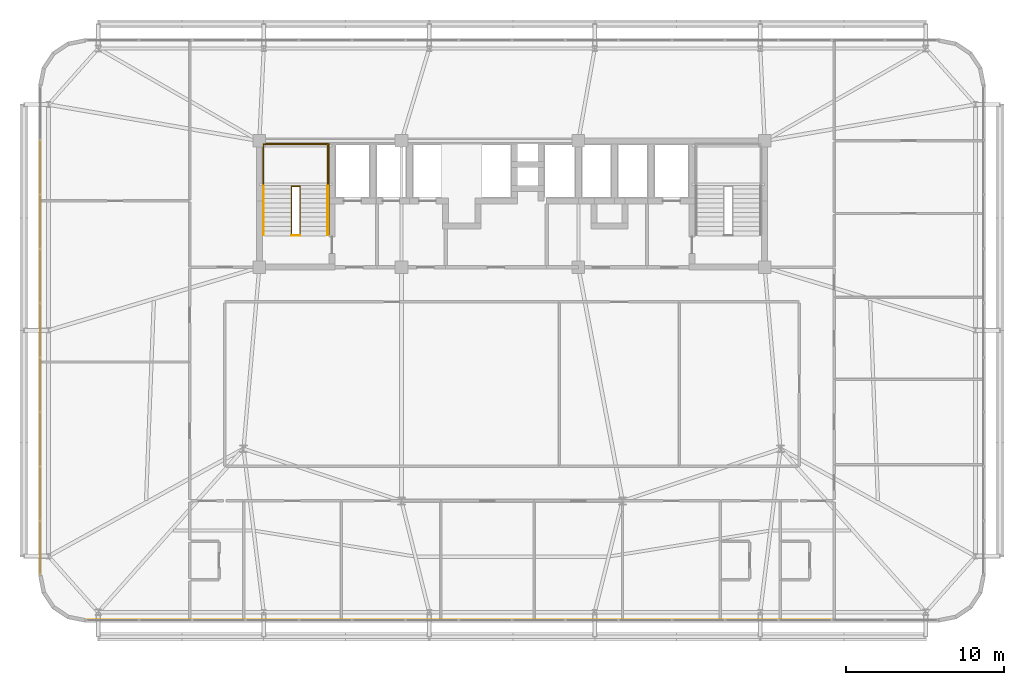
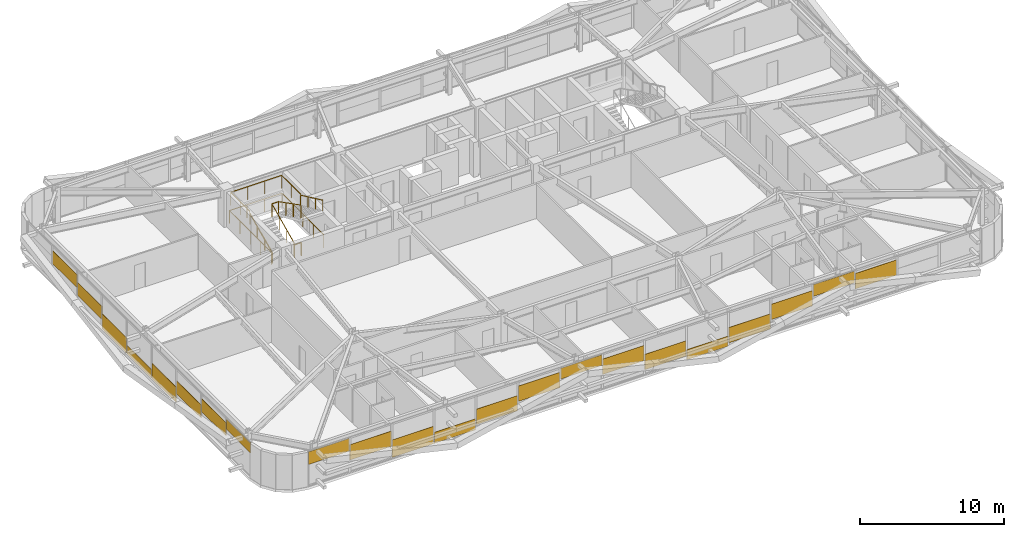
# One storey, part 56 of 58: 22 coverings, 6 railings.
"""IFC4 building model written with IfcOpenShell, lengths in metres."""

from ifc_helpers import new_model, si_unit, direction, frame, origin, origin_2d, place, context, subcontext, project, spatial, rectangle, extrude, source, transform, mapped, material, layer, layer_set, type_object, element, save


model = new_model("IFC4")

# Units and contexts
model_context = context("Model", 3, precision=1e-05, world=origin(), true_north=direction((0.0, 1.0)))
body_context = subcontext(model_context, "Body", "Model", "MODEL_VIEW")
ifc_project = project(units=[si_unit("LENGTHUNIT", "METRE"), si_unit("AREAUNIT", "SQUARE_METRE"), si_unit("VOLUMEUNIT", "CUBIC_METRE"), si_unit("PLANEANGLEUNIT", "RADIAN"), si_unit("MASSUNIT", "GRAM", prefix="KILO")], contexts=[model_context])

# Site, building, storey
site_placement = place(None, origin())
site = spatial("IfcSite", under=ifc_project, at=site_placement, CompositionType="ELEMENT")
building_placement = place(site_placement, origin())
building = spatial("IfcBuilding", under=site, at=building_placement, Name="Taldren Reach Tower", CompositionType="ELEMENT")
storey_placement = place(building_placement, frame((0.0, 0.0, 51.449951171875)))
storey = spatial("IfcBuildingStorey", under=building, at=storey_placement, Name="L15", CompositionType="ELEMENT", Elevation=51.449951171875)

# Railings
ifc_material_1 = material(Name="Steel Gr 350 (C350L0)", Category="steel")
ifc_layer_1 = layer(ifc_material_1, 0.050048828125)
ifc_layer_set_1 = layer_set([ifc_layer_1], Name="Steel Gr 350 (C350L0)")
railing_type_1 = type_object("IfcRailingType", Name="RL-STAIR-GR", PredefinedType="GUARDRAIL", material=ifc_layer_set_1)
railing_1_placement = place(storey_placement, frame((19.260009765625, 29.135009765625, 1.574951171875)))
element("IfcRailing", 1, at=railing_1_placement, inside=storey, type_object=railing_type_1, Name="Stair half-landing perimeter guard ST1-L15", PredefinedType="GUARDRAIL", context=body_context, shape_type="SweptSolid", body=[
    extrude(rectangle(XDim=0.047852, YDim=0.047852, at=origin_2d()), frame((0.0, 0.0, 1.09619140625), z_axis=(0.0, 1.0, 0.0), x_axis=(-1.0, 0.0, 0.0)), (0.0, 0.0, 1.0), 2.64501953125),
    extrude(rectangle(XDim=0.047852, YDim=0.047852, at=origin_2d()), frame((0.0, 2.64501953125, 1.09619140625), z_axis=(1.0, 0.0, 0.0), x_axis=(0.0, 1.0, 0.0)), (0.0, 0.0, 1.0), 4.080078125),
    extrude(rectangle(XDim=0.047852, YDim=0.047852, at=origin_2d()), frame((4.080078125, 2.64501953125, 1.09619140625), z_axis=(0.0, -1.0, 0.0), x_axis=(1.0, 0.0, 0.0)), (0.0, 0.0, 1.0), 2.64501953125),
    extrude(rectangle(XDim=0.041992, YDim=0.041992, at=origin_2d()), origin(), (0.0, 0.0, 1.0), 1.072021484375),
    extrude(rectangle(XDim=0.041992, YDim=0.041992, at=origin_2d()), frame((0.0, 1.322509765625, 0.0)), (0.0, 0.0, 1.0), 1.072021484375),
    extrude(rectangle(XDim=0.041992, YDim=0.041992, at=origin_2d()), frame((0.0, 2.64501953125, 0.0)), (0.0, 0.0, 1.0), 1.072021484375),
    extrude(rectangle(XDim=0.041992, YDim=0.041992, at=origin_2d()), frame((1.360107421875, 2.64501953125, 0.0)), (0.0, 0.0, 1.0), 1.072021484375),
    extrude(rectangle(XDim=0.041992, YDim=0.041992, at=origin_2d()), frame((2.719970703125, 2.64501953125, 0.0)), (0.0, 0.0, 1.0), 1.072021484375),
    extrude(rectangle(XDim=0.041992, YDim=0.041992, at=origin_2d()), frame((4.080078125, 2.64501953125, 0.0)), (0.0, 0.0, 1.0), 1.072021484375),
    extrude(rectangle(XDim=0.041992, YDim=0.041992, at=origin_2d()), frame((4.080078125, 1.322509765625, 0.0)), (0.0, 0.0, 1.0), 1.072021484375),
    extrude(rectangle(XDim=0.041992, YDim=0.041992, at=origin_2d()), frame((4.080078125, 0.0, 0.0)), (0.0, 0.0, 1.0), 1.072021484375),
])
railing_2_placement = place(storey_placement, frame((21.030029296875, 26.050048828125, 0.13134765625)))
element("IfcRailing", 2, at=railing_2_placement, inside=storey, type_object=railing_type_1, Name="Stairwell inner guard ST1-L15", PredefinedType="GUARDRAIL", context=body_context, shape_type="SweptSolid", body=[
    extrude(rectangle(XDim=0.047852, YDim=0.047852, at=origin_2d()), frame((0.0, 0.0, 1.09619140625), z_axis=(0.0, 0.905737652094, 0.423838773095), x_axis=(-1.0, 0.0, 0.0)), (0.0, 0.0, 1.0), 3.406005859375),
    extrude(rectangle(XDim=0.047852, YDim=0.047852, at=origin_2d()), frame((0.0, 3.0849609375, 2.53955078125), z_axis=(1.0, 0.0, 0.0), x_axis=(0.0, 1.0, 0.0)), (0.0, 0.0, 1.0), 0.5400390625),
    extrude(rectangle(XDim=0.047852, YDim=0.047852, at=origin_2d()), frame((0.5400390625, 3.0849609375, 2.53955078125), z_axis=(0.0, -0.890617412389, 0.454753366946), x_axis=(1.0, 0.0, 0.0)), (0.0, 0.0, 1.0), 3.4638671875),
    extrude(rectangle(XDim=0.041992, YDim=0.041992, at=origin_2d()), origin(), (0.0, 0.0, 1.0), 1.072021484375),
    extrude(rectangle(XDim=0.041992, YDim=0.041992, at=origin_2d()), frame((0.0, 1.0283203125, 0.481201171875)), (0.0, 0.0, 1.0), 1.072021484375),
    extrude(rectangle(XDim=0.041992, YDim=0.041992, at=origin_2d()), frame((0.0, 2.056640625, 0.96240234375)), (0.0, 0.0, 1.0), 1.072021484375),
    extrude(rectangle(XDim=0.041992, YDim=0.041992, at=origin_2d()), frame((0.0, 3.0849609375, 1.443603515625)), (0.0, 0.0, 1.0), 1.072021484375),
    extrude(rectangle(XDim=0.041992, YDim=0.041992, at=origin_2d()), frame((0.5400390625, 3.0849609375, 1.443603515625)), (0.0, 0.0, 1.0), 1.072021484375),
    extrude(rectangle(XDim=0.041992, YDim=0.041992, at=origin_2d()), frame((0.5400390625, 2.056640625, 1.96875)), (0.0, 0.0, 1.0), 1.072021484375),
    extrude(rectangle(XDim=0.041992, YDim=0.041992, at=origin_2d()), frame((0.5400390625, 1.0283203125, 2.49365234375)), (0.0, 0.0, 1.0), 1.072021484375),
    extrude(rectangle(XDim=0.041992, YDim=0.041992, at=origin_2d()), frame((0.5400390625, 0.0, 3.018798828125)), (0.0, 0.0, 1.0), 1.072021484375),
])
railing_3_placement = place(storey_placement, frame((21.030029296875, 26.010009765625, 0.0)))
element("IfcRailing", 3, at=railing_3_placement, inside=storey, type_object=railing_type_1, Name="Stairwell landing slot guard ST1-L15", PredefinedType="GUARDRAIL", context=body_context, shape_type="SweptSolid", body=[
    extrude(rectangle(XDim=0.047852, YDim=0.047852, at=origin_2d()), frame((0.0, 0.0, 1.09619140625), z_axis=(1.0, 0.0, 0.0), x_axis=(0.0, 1.0, 0.0)), (0.0, 0.0, 1.0), 0.5400390625),
    extrude(rectangle(XDim=0.041992, YDim=0.041992, at=origin_2d()), origin(), (0.0, 0.0, 1.0), 1.072021484375),
    extrude(rectangle(XDim=0.041992, YDim=0.041992, at=origin_2d()), frame((0.5400390625, 0.0, 0.0)), (0.0, 0.0, 1.0), 1.072021484375),
])
railing_4_placement = place(storey_placement, frame((19.18994140625, 26.050048828125, 0.0)))
element("IfcRailing", 4, at=railing_4_placement, inside=storey, type_object=railing_type_1, Name="Stairwell floor opening guard ST1-L15", PredefinedType="GUARDRAIL", context=body_context, shape_type="SweptSolid", body=[
    extrude(rectangle(XDim=0.047852, YDim=0.047852, at=origin_2d()), frame((0.0, 0.0, 1.09619140625), z_axis=(0.0, 1.0, 0.0), x_axis=(-1.0, 0.0, 0.0)), (0.0, 0.0, 1.0), 5.800048828125),
    extrude(rectangle(XDim=0.047852, YDim=0.047852, at=origin_2d()), frame((0.0, 5.800048828125, 1.09619140625), z_axis=(1.0, 0.0, 0.0), x_axis=(0.0, 1.0, 0.0)), (0.0, 0.0, 1.0), 4.219970703125),
    extrude(rectangle(XDim=0.047852, YDim=0.047852, at=origin_2d()), frame((4.219970703125, 5.800048828125, 1.09619140625), z_axis=(0.0, -1.0, 0.0), x_axis=(1.0, 0.0, 0.0)), (0.0, 0.0, 1.0), 5.800048828125),
    extrude(rectangle(XDim=0.041992, YDim=0.041992, at=origin_2d()), origin(), (0.0, 0.0, 1.0), 1.072021484375),
    extrude(rectangle(XDim=0.041992, YDim=0.041992, at=origin_2d()), frame((0.0, 1.449951171875, 0.0)), (0.0, 0.0, 1.0), 1.072021484375),
    extrude(rectangle(XDim=0.041992, YDim=0.041992, at=origin_2d()), frame((0.0, 2.89990234375, 0.0)), (0.0, 0.0, 1.0), 1.072021484375),
    extrude(rectangle(XDim=0.041992, YDim=0.041992, at=origin_2d()), frame((0.0, 4.35009765625, 0.0)), (0.0, 0.0, 1.0), 1.072021484375),
    extrude(rectangle(XDim=0.041992, YDim=0.041992, at=origin_2d()), frame((0.0, 5.800048828125, 0.0)), (0.0, 0.0, 1.0), 1.072021484375),
    extrude(rectangle(XDim=0.041992, YDim=0.041992, at=origin_2d()), frame((1.40673828125, 5.800048828125, 0.0)), (0.0, 0.0, 1.0), 1.072021484375),
    extrude(rectangle(XDim=0.041992, YDim=0.041992, at=origin_2d()), frame((2.813232421875, 5.800048828125, 0.0)), (0.0, 0.0, 1.0), 1.072021484375),
    extrude(rectangle(XDim=0.041992, YDim=0.041992, at=origin_2d()), frame((4.219970703125, 5.800048828125, 0.0)), (0.0, 0.0, 1.0), 1.072021484375),
    extrude(rectangle(XDim=0.041992, YDim=0.041992, at=origin_2d()), frame((4.219970703125, 4.35009765625, 0.0)), (0.0, 0.0, 1.0), 1.072021484375),
    extrude(rectangle(XDim=0.041992, YDim=0.041992, at=origin_2d()), frame((4.219970703125, 2.89990234375, 0.0)), (0.0, 0.0, 1.0), 1.072021484375),
    extrude(rectangle(XDim=0.041992, YDim=0.041992, at=origin_2d()), frame((4.219970703125, 1.449951171875, 0.0)), (0.0, 0.0, 1.0), 1.072021484375),
    extrude(rectangle(XDim=0.041992, YDim=0.041992, at=origin_2d()), frame((4.219970703125, 0.0, 0.0)), (0.0, 0.0, 1.0), 1.072021484375),
])
ifc_material_2 = material(Name="Stainless Steel Gr 316", Category="steel")
ifc_layer_2 = layer(ifc_material_2, 0.048095703125)
ifc_layer_set_2 = layer_set([ifc_layer_2], Name="Stainless Steel Gr 316")
railing_type_2 = type_object("IfcRailingType", Name="RL-STAIR-HR", PredefinedType="HANDRAIL", material=ifc_layer_set_2)
railing_5_placement = place(storey_placement, frame((19.27001953125, 26.050048828125, 0.13134765625)))
element("IfcRailing", 5, at=railing_5_placement, inside=storey, type_object=railing_type_2, Name="Stair flight handrail ST1-L15-1", PredefinedType="HANDRAIL", context=body_context, shape_type="SweptSolid", body=[
    extrude(rectangle(XDim=0.047852, YDim=0.047852, at=origin_2d()), frame((0.0, 0.0, 0.89599609375), z_axis=(0.0, 0.905737652094, 0.423838773095), x_axis=(-1.0, 0.0, 0.0)), (0.0, 0.0, 1.0), 3.406005859375),
    extrude(rectangle(XDim=0.041992, YDim=0.041992, at=origin_2d()), origin(), (0.0, 0.0, 1.0), 0.871826171875),
    extrude(rectangle(XDim=0.041992, YDim=0.041992, at=origin_2d()), frame((0.0, 1.0283203125, 0.481201171875)), (0.0, 0.0, 1.0), 0.871826171875),
    extrude(rectangle(XDim=0.041992, YDim=0.041992, at=origin_2d()), frame((0.0, 2.056640625, 0.96240234375)), (0.0, 0.0, 1.0), 0.871826171875),
    extrude(rectangle(XDim=0.041992, YDim=0.041992, at=origin_2d()), frame((0.0, 3.0849609375, 1.443603515625)), (0.0, 0.0, 1.0), 0.871826171875),
])
railing_6_placement = place(storey_placement, frame((23.330078125, 29.135009765625, 1.706298828125)))
element("IfcRailing", 6, at=railing_6_placement, inside=storey, type_object=railing_type_2, Name="Stair flight handrail ST1-L15-2", PredefinedType="HANDRAIL", context=body_context, shape_type="SweptSolid", body=[
    extrude(rectangle(XDim=0.047852, YDim=0.047852, at=origin_2d()), frame((0.0, 0.0, 0.89599609375), z_axis=(0.0, -0.905710134349, 0.423897573167), x_axis=(1.0, 0.0, 0.0)), (0.0, 0.0, 1.0), 3.406005859375),
    extrude(rectangle(XDim=0.041992, YDim=0.041992, at=origin_2d()), origin(), (0.0, 0.0, 1.0), 0.871826171875),
    extrude(rectangle(XDim=0.041992, YDim=0.041992, at=origin_2d()), frame((0.0, -1.0283203125, 0.481201171875)), (0.0, 0.0, 1.0), 0.871826171875),
    extrude(rectangle(XDim=0.041992, YDim=0.041992, at=origin_2d()), frame((0.0, -2.056640625, 0.962646484375)), (0.0, 0.0, 1.0), 0.871826171875),
    extrude(rectangle(XDim=0.041992, YDim=0.041992, at=origin_2d()), frame((0.0, -3.0849609375, 1.44384765625)), (0.0, 0.0, 1.0), 0.871826171875),
])

# Coverings
ifc_material_3 = material(Name="Pale Champagne Fluoropolymer Aluminium Spandrel Cladding", Category="aluminium")
ifc_layer_3 = layer(ifc_material_3, 0.0439453125)
ifc_layer_set_3 = layer_set([ifc_layer_3], Name="Pale Champagne Fluoropolymer Aluminium Spandrel Cladding")
covering_type = type_object("IfcCoveringType", Name="CV-CLAD-044", PredefinedType="CLADDING", material=ifc_layer_set_3)
shared_shape_1 = source(origin(), body_context, "Body", "SweptSolid", [
    extrude(rectangle(XDim=3.277587890625, YDim=0.0439453125, at=origin_2d()), origin(), (0.0, 0.0, 1.0), 1.081298828125),
])
covering_1_placement = place(storey_placement, frame((9.703857421875, 1.639892578125, 1.7939453125), z_axis=(0.0, 0.0, 1.0), x_axis=(1.0, 0.0, 0.0)))
element("IfcCovering", 7, at=covering_1_placement, inside=storey, type_object=covering_type, Name="Diagrid closure cladding strip CW-2 panel 1.1 1", PredefinedType="CLADDING", context=body_context, shape_type="MappedRepresentation", body=[
    mapped(shared_shape_1, transform((0.0, 0.0, 0.0), scale=1.0)),
])
shared_shape_2 = source(origin(), body_context, "Body", "SweptSolid", [
    extrude(rectangle(XDim=3.31005859375, YDim=0.0439453125, at=origin_2d()), origin(), (0.0, 0.0, 1.0), 1.301025390625),
])
for number, where, z_axis, x_axis, name in (
    (8, (13.0625, 1.639892578125, 1.01123046875), (0.0, 0.0, 1.0), (1.0, 0.0, 0.0), "Diagrid closure cladding strip CW-2 panel 2.1 1"),
    (9, (23.1875, 1.639892578125, 0.4755859375), (0.0, 0.0, 1.0), (1.0, 0.0, 0.0), "Diagrid closure cladding strip CW-2 panel 5.1 1"),
    (10, (26.5625, 1.639892578125, 1.25830078125), (0.0, 0.0, 1.0), (1.0, 0.0, 0.0), "Diagrid closure cladding strip CW-2 panel 6.1 1"),
    (11, (33.3125, 1.639892578125, 1.17578125), (0.0, 0.0, 1.0), (1.0, 0.0, 0.0), "Diagrid closure cladding strip CW-2 panel 8.1 1"),
    (12, (36.6875, 1.639892578125, 0.39306640625), (0.0, 0.0, 1.0), (1.0, 0.0, 0.0), "Diagrid closure cladding strip CW-2 panel 9.1 1"),
    (13, (43.4375, 1.639892578125, 0.31103515625), (0.0, 0.0, 1.0), (1.0, 0.0, 0.0), "Diagrid closure cladding strip CW-2 panel 11.1 1"),
    (14, (46.8125, 1.639892578125, 1.09326171875), (0.0, 0.0, 1.0), (1.0, 0.0, 0.0), "Diagrid closure cladding strip CW-2 panel 12.1 1"),
    (15, (53.5625, 1.639892578125, 1.34033203125), (0.0, 0.0, 1.0), (1.0, 0.0, 0.0), "Diagrid closure cladding strip CW-2 panel 14.1 1"),
):
    element("IfcCovering", number, at=place(storey_placement, frame(where, z_axis=z_axis, x_axis=x_axis)), inside=storey, type_object=covering_type, Name=name, PredefinedType="CLADDING", context=body_context, shape_type="MappedRepresentation", body=[
        mapped(shared_shape_2, transform((0.0, 0.0, 0.0), scale=1.0)),
    ])
shared_shape_3 = source(origin(), body_context, "Body", "SweptSolid", [
    extrude(rectangle(XDim=3.31005859375, YDim=0.0439453125, at=origin_2d()), origin(), (0.0, 0.0, 1.0), 1.474609375),
])
covering_2_placement = place(storey_placement, frame((16.4375, 1.639892578125, 0.054931640625), z_axis=(0.0, 0.0, 1.0), x_axis=(1.0, 0.0, 0.0)))
element("IfcCovering", 16, at=covering_2_placement, inside=storey, type_object=covering_type, Name="Diagrid closure cladding strip CW-2 panel 3.1 1", PredefinedType="CLADDING", context=body_context, shape_type="MappedRepresentation", body=[
    mapped(shared_shape_3, transform((0.0, 0.0, 0.0), scale=1.0)),
])
shared_shape_4 = source(origin(), body_context, "Body", "SweptSolid", [
    extrude(rectangle(XDim=3.31005859375, YDim=0.0439453125, at=origin_2d()), origin(), (0.0, 0.0, 1.0), 0.93896484375),
])
covering_3_placement = place(storey_placement, frame((19.8125, 1.639892578125, 0.05517578125), z_axis=(0.0, 0.0, 1.0), x_axis=(1.0, 0.0, 0.0)))
element("IfcCovering", 17, at=covering_3_placement, inside=storey, type_object=covering_type, Name="Diagrid closure cladding strip CW-2 panel 4.1 1", PredefinedType="CLADDING", context=body_context, shape_type="MappedRepresentation", body=[
    mapped(shared_shape_4, transform((0.0, 0.0, 0.0), scale=1.0)),
])
shared_shape_5 = source(origin(), body_context, "Body", "SweptSolid", [
    extrude(rectangle(XDim=3.31005859375, YDim=0.0439453125, at=origin_2d()), origin(), (0.0, 0.0, 1.0), 0.916748046875),
])
covering_4_placement = place(storey_placement, frame((29.9375, 1.639892578125, 1.95849609375), z_axis=(0.0, 0.0, 1.0), x_axis=(1.0, 0.0, 0.0)))
element("IfcCovering", 18, at=covering_4_placement, inside=storey, type_object=covering_type, Name="Diagrid closure cladding strip CW-2 panel 7.1 1", PredefinedType="CLADDING", context=body_context, shape_type="MappedRepresentation", body=[
    mapped(shared_shape_5, transform((0.0, 0.0, 0.0), scale=1.0)),
])
shared_shape_6 = source(origin(), body_context, "Body", "SweptSolid", [
    extrude(rectangle(XDim=3.31005859375, YDim=0.0439453125, at=origin_2d()), origin(), (0.0, 0.0, 1.0), 0.856689453125),
])
covering_5_placement = place(storey_placement, frame((40.0625, 1.639892578125, 0.05517578125), z_axis=(0.0, 0.0, 1.0), x_axis=(1.0, 0.0, 0.0)))
element("IfcCovering", 19, at=covering_5_placement, inside=storey, type_object=covering_type, Name="Diagrid closure cladding strip CW-2 panel 10.1 1", PredefinedType="CLADDING", context=body_context, shape_type="MappedRepresentation", body=[
    mapped(shared_shape_6, transform((0.0, 0.0, 0.0), scale=1.0)),
])
shared_shape_7 = source(origin(), body_context, "Body", "SweptSolid", [
    extrude(rectangle(XDim=3.31005859375, YDim=0.0439453125, at=origin_2d()), origin(), (0.0, 0.0, 1.0), 0.9990234375),
])
covering_6_placement = place(storey_placement, frame((50.1875, 1.639892578125, 1.8759765625), z_axis=(0.0, 0.0, 1.0), x_axis=(1.0, 0.0, 0.0)))
element("IfcCovering", 20, at=covering_6_placement, inside=storey, type_object=covering_type, Name="Diagrid closure cladding strip CW-2 panel 13.1 1", PredefinedType="CLADDING", context=body_context, shape_type="MappedRepresentation", body=[
    mapped(shared_shape_7, transform((0.0, 0.0, 0.0), scale=1.0)),
])
shared_shape_8 = source(origin(), body_context, "Body", "SweptSolid", [
    extrude(rectangle(XDim=3.346923828125, YDim=0.0439453125, at=origin_2d()), origin(), (0.0, 0.0, 1.0), 0.864501953125),
])
covering_7_placement = place(storey_placement, frame((5.139892578125, 6.238525390625, 2.0107421875), z_axis=(0.0, 0.0, 1.0), x_axis=(0.0, -1.0, 0.0)))
element("IfcCovering", 21, at=covering_7_placement, inside=storey, type_object=covering_type, Name="Diagrid closure cladding strip CW-2 panel 9.1 1", PredefinedType="CLADDING", context=body_context, shape_type="MappedRepresentation", body=[
    mapped(shared_shape_8, transform((0.0, 0.0, 0.0), scale=1.0)),
])
shared_shape_9 = source(origin(), body_context, "Body", "SweptSolid", [
    extrude(rectangle(XDim=3.37939453125, YDim=0.0439453125, at=origin_2d()), origin(), (0.0, 0.0, 1.0), 1.1015625),
])
for number, where, z_axis, x_axis, name in (
    (22, (5.139892578125, 30.333251953125, 1.42529296875), (0.0, 0.0, 1.0), (0.0, -1.0, 0.0), "Diagrid closure cladding strip CW-2 panel 2.1 1"),
    (23, (5.139892578125, 26.888916015625, 0.83984375), (0.0, 0.0, 1.0), (0.0, -1.0, 0.0), "Diagrid closure cladding strip CW-2 panel 3.1 1"),
    (24, (5.139892578125, 13.111083984375, 0.83984375), (0.0, 0.0, 1.0), (0.0, -1.0, 0.0), "Diagrid closure cladding strip CW-2 panel 7.1 1"),
    (25, (5.139892578125, 9.666748046875, 1.42529296875), (0.0, 0.0, 1.0), (0.0, -1.0, 0.0), "Diagrid closure cladding strip CW-2 panel 8.1 1"),
):
    element("IfcCovering", number, at=place(storey_placement, frame(where, z_axis=z_axis, x_axis=x_axis)), inside=storey, type_object=covering_type, Name=name, PredefinedType="CLADDING", context=body_context, shape_type="MappedRepresentation", body=[
        mapped(shared_shape_9, transform((0.0, 0.0, 0.0), scale=1.0)),
    ])
shared_shape_10 = source(origin(), body_context, "Body", "SweptSolid", [
    extrude(rectangle(XDim=3.37939453125, YDim=0.0439453125, at=origin_2d()), origin(), (0.0, 0.0, 1.0), 1.301025390625),
])
for number, where, z_axis, x_axis, name in (
    (26, (5.139892578125, 23.4443359375, 0.05517578125), (0.0, 0.0, 1.0), (0.0, -1.0, 0.0), "Diagrid closure cladding strip CW-2 panel 4.1 1"),
    (27, (5.139892578125, 16.5556640625, 0.05517578125), (0.0, 0.0, 1.0), (0.0, -1.0, 0.0), "Diagrid closure cladding strip CW-2 panel 6.1 1"),
):
    element("IfcCovering", number, at=place(storey_placement, frame(where, z_axis=z_axis, x_axis=x_axis)), inside=storey, type_object=covering_type, Name=name, PredefinedType="CLADDING", context=body_context, shape_type="MappedRepresentation", body=[
        mapped(shared_shape_10, transform((0.0, 0.0, 0.0), scale=1.0)),
    ])
shared_shape_11 = source(origin(), body_context, "Body", "SweptSolid", [
    extrude(rectangle(XDim=3.37939453125, YDim=0.0439453125, at=origin_2d()), origin(), (0.0, 0.0, 1.0), 0.7158203125),
])
covering_8_placement = place(storey_placement, frame((5.139892578125, 20.0, 0.054931640625), z_axis=(0.0, 0.0, 1.0), x_axis=(0.0, -1.0, 0.0)))
element("IfcCovering", 28, at=covering_8_placement, inside=storey, type_object=covering_type, Name="Diagrid closure cladding strip CW-2 panel 5.1 1", PredefinedType="CLADDING", context=body_context, shape_type="MappedRepresentation", body=[
    mapped(shared_shape_11, transform((0.0, 0.0, 0.0), scale=1.0)),
])

save(model, "model.ifc")
